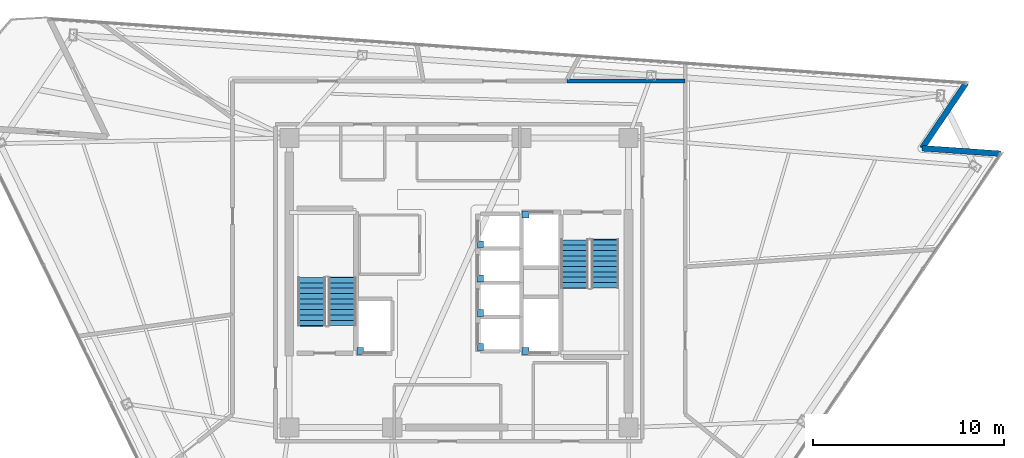
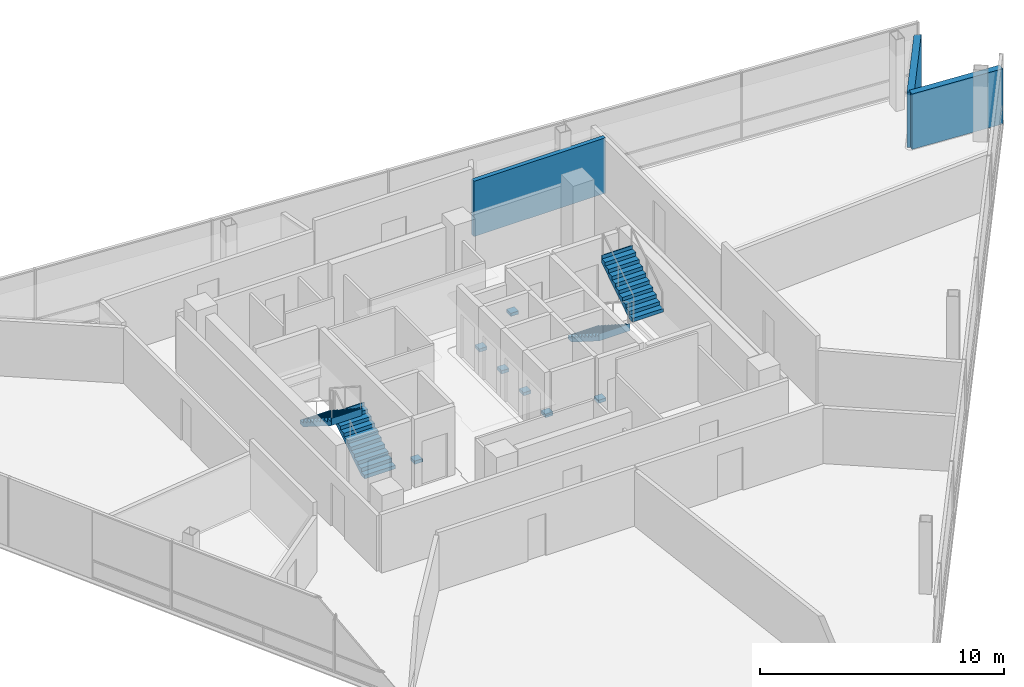
# One storey, part 11 of 14: 7 discrete accessories, 4 stair flights, 3 walls, 2 elements without a shape of their own.
"""IFC4 building model written with IfcOpenShell, lengths in metres."""

from ifc_helpers import new_model, si_unit, direction, frame, frame_2d, origin, origin_2d, place, context, subcontext, project, spatial, polyline, rectangle, outline, extrude, material, layer, layer_set, type_object, element, aggregate, save


model = new_model("IFC4")

# Units and contexts
model_context = context("Model", 3, precision=1e-05, world=origin(), true_north=direction((0.0, 1.0)))
body_context = subcontext(model_context, "Body", "Model", "MODEL_VIEW")
ifc_project = project(units=[si_unit("LENGTHUNIT", "METRE"), si_unit("AREAUNIT", "SQUARE_METRE"), si_unit("VOLUMEUNIT", "CUBIC_METRE"), si_unit("PLANEANGLEUNIT", "RADIAN"), si_unit("MASSUNIT", "GRAM", prefix="KILO")], contexts=[model_context])

# Site, building, storey
site_placement = place(None, origin())
site = spatial("IfcSite", under=ifc_project, at=site_placement, CompositionType="ELEMENT")
building_placement = place(site_placement, origin())
building = spatial("IfcBuilding", under=site, at=building_placement, Name="Tharavind Bronze Gate", CompositionType="ELEMENT")
storey_placement = place(building_placement, frame((0.0, 0.0, 245.050048828125)))
storey = spatial("IfcBuildingStorey", under=building, at=storey_placement, Name="L63", CompositionType="ELEMENT", Elevation=245.050048828125)

# Walls
ifc_material_1 = material(Name="Concrete C40/50", Category="concrete")
ifc_layer_1 = layer(ifc_material_1, 0.300048828125)
ifc_layer_set_1 = layer_set([ifc_layer_1], Name="Concrete C40/50")
wall_type_1 = type_object("IfcWallType", Name="EXTERIOR SPANDREL WALL 300", PredefinedType="STANDARD", material=ifc_layer_set_1)
for number, where, z_axis, x_axis, name in (
    (1, (28.430419921875, 6.77001953125, 0.0), (0.0, 0.0, 1.0), (-0.997561808984, 0.069788518089, 0.0), "L63 notch cheek wall 3A"),
    (2, (24.3125, 7.05810546875, 0.0), (0.0, 0.0, 1.0), (0.559209737351, 0.829026217711, 0.0), "L63 notch cheek wall 3B"),
):
    element("IfcWall", number, at=place(storey_placement, frame(where, z_axis=z_axis, x_axis=x_axis)), inside=storey, type_object=wall_type_1, Name=name, PredefinedType="STANDARD", context=body_context, shape_type="SweptSolid", body=[
        extrude(rectangle(XDim=4.1279296875, YDim=0.300048828125, at=frame_2d((2.06396484375, 0.0))), origin(), (0.0, 0.0, 1.0), 2.764892578125),
    ])
ifc_material_2 = material(Name="Aerated Concrete Block", Category="concrete")
ifc_layer_2 = layer(ifc_material_2, 0.199951171875)
ifc_layer_set_2 = layer_set([ifc_layer_2], Name="Aerated Concrete Block")
wall_type_2 = type_object("IfcWallType", Name="FIRE RATED PARTITION 200", PredefinedType="PARTITIONING", material=ifc_layer_set_2)
wall_placement = place(storey_placement, frame((11.87939453125, 10.580078125, 0.0), z_axis=(0.0, 0.0, 1.0), x_axis=(-1.0, 0.0, 0.0)))
element("IfcWall", 3, at=wall_placement, inside=storey, type_object=wall_type_2, Name="L63 Sovereign Fund Open Office partition", PredefinedType="PARTITIONING", context=body_context, shape_type="SweptSolid", body=[
    extrude(rectangle(XDim=6.21240234375, YDim=0.199951171875, at=frame_2d((3.106201171875, 0.0))), origin(), (0.0, 0.0, 1.0), 2.764892578125),
])

# Stair, stair flights
stair_type = type_object("IfcStairType", Name="CORE HALF TURN STAIR 1450", PredefinedType="HALF_TURN_STAIR", material=ifc_material_1)
stair_1_placement = place(storey_placement, origin())
stair_1 = element("IfcStair", 4, at=stair_1_placement, inside=storey, type_object=stair_type, Name="L63 Protected Exit Stair ST1", PredefinedType="HALF_TURN_STAIR")
stair_flight_type = type_object("IfcStairFlightType", Name="CORE STAIR FLIGHT 1450", PredefinedType="STRAIGHT", material=ifc_material_1)
stair_flight_1_placement = place(storey_placement, frame((-6.125, -2.25, 0.0), z_axis=(0.0, 0.0, 1.0), x_axis=(0.0, 1.0, 0.0)))
stair_flight_1 = element("IfcStairFlight", 5, at=stair_flight_1_placement, type_object=stair_flight_type, Name="ST1 flight 1", NumberOfRisers=10, NumberOfTreads=9, PredefinedType="STRAIGHT", RiserHeight=0.18, TreadLength=0.28, context=body_context, shape_type="SweptSolid", body=[
    extrude(outline(polyline([(0.0, 0.0), (0.0, 0.179931640625), (0.280029296875, 0.179931640625), (0.280029296875, 0.360107421875), (0.56005859375, 0.360107421875), (0.56005859375, 0.5400390625), (0.840087890625, 0.5400390625), (0.840087890625, 0.719970703125), (1.1201171875, 0.719970703125), (1.1201171875, 0.89990234375), (1.39990234375, 0.89990234375), (1.39990234375, 1.080078125), (1.679931640625, 1.080078125), (1.679931640625, 1.260009765625), (1.9599609375, 1.260009765625), (1.9599609375, 1.43994140625), (2.239990234375, 1.43994140625), (2.239990234375, 1.6201171875), (2.52001953125, 1.6201171875), (2.52001953125, 1.800048828125), (2.555908203125, 1.800048828125), (2.555908203125, 1.44189453125), (0.277099609375, 0.0), (0.0, 0.0)])), frame((0.0, 0.72509765625, 0.0), z_axis=(0.0, -1.0, 0.0), x_axis=(1.0, 0.0, 0.0)), (0.0, 0.0, 1.0), 1.449951171875),
])
stair_flight_2_placement = place(storey_placement, frame((-7.72509765625, 0.27001953125, 1.800048828125), z_axis=(0.0, 0.0, 1.0), x_axis=(0.0, -1.0, 0.0)))
stair_flight_2 = element("IfcStairFlight", 6, at=stair_flight_2_placement, type_object=stair_flight_type, Name="ST1 flight 2", NumberOfRisers=10, NumberOfTreads=9, PredefinedType="STRAIGHT", RiserHeight=0.18, TreadLength=0.28, context=body_context, shape_type="SweptSolid", body=[
    extrude(outline(polyline([(0.0, 0.0), (0.0, 0.179931640625), (0.280029296875, 0.179931640625), (0.280029296875, 0.360107421875), (0.56005859375, 0.360107421875), (0.56005859375, 0.5400390625), (0.840087890625, 0.5400390625), (0.840087890625, 0.719970703125), (1.1201171875, 0.719970703125), (1.1201171875, 0.89990234375), (1.39990234375, 0.89990234375), (1.39990234375, 1.080078125), (1.679931640625, 1.080078125), (1.679931640625, 1.260009765625), (1.9599609375, 1.260009765625), (1.9599609375, 1.43994140625), (2.239990234375, 1.43994140625), (2.239990234375, 1.6201171875), (2.52001953125, 1.6201171875), (2.52001953125, 1.800048828125), (2.555908203125, 1.800048828125), (2.555908203125, 1.44189453125), (0.277099609375, 0.0), (0.0, 0.0)])), frame((0.0, 0.72509765625, 0.0), z_axis=(0.0, -1.0, 0.0), x_axis=(1.0, 0.0, 0.0)), (0.0, 0.0, 1.0), 1.449951171875),
])
aggregate(stair_1, [stair_flight_1, stair_flight_2])

stair_2_placement = place(storey_placement, origin())
stair_2 = element("IfcStair", 7, at=stair_2_placement, inside=storey, type_object=stair_type, Name="L63 Protected Exit Stair ST2", PredefinedType="HALF_TURN_STAIR")
stair_flight_3_placement = place(storey_placement, frame((6.074951171875, 2.25, 0.0), z_axis=(0.0, 0.0, 1.0), x_axis=(0.0, -1.0, 0.0)))
stair_flight_3 = element("IfcStairFlight", 8, at=stair_flight_3_placement, type_object=stair_flight_type, Name="ST2 flight 1", NumberOfRisers=10, NumberOfTreads=9, PredefinedType="STRAIGHT", RiserHeight=0.18, TreadLength=0.28, context=body_context, shape_type="SweptSolid", body=[
    extrude(outline(polyline([(0.0, 0.0), (0.0, 0.179931640625), (0.280029296875, 0.179931640625), (0.280029296875, 0.360107421875), (0.56005859375, 0.360107421875), (0.56005859375, 0.5400390625), (0.840087890625, 0.5400390625), (0.840087890625, 0.719970703125), (1.1201171875, 0.719970703125), (1.1201171875, 0.89990234375), (1.39990234375, 0.89990234375), (1.39990234375, 1.080078125), (1.679931640625, 1.080078125), (1.679931640625, 1.260009765625), (1.9599609375, 1.260009765625), (1.9599609375, 1.43994140625), (2.239990234375, 1.43994140625), (2.239990234375, 1.6201171875), (2.52001953125, 1.6201171875), (2.52001953125, 1.800048828125), (2.555908203125, 1.800048828125), (2.555908203125, 1.44189453125), (0.277099609375, 0.0), (0.0, 0.0)])), frame((0.0, 0.72509765625, 0.0), z_axis=(0.0, -1.0, 0.0), x_axis=(1.0, 0.0, 0.0)), (0.0, 0.0, 1.0), 1.449951171875),
])
stair_flight_4_placement = place(storey_placement, frame((7.675048828125, -0.27001953125, 1.800048828125), z_axis=(0.0, 0.0, 1.0), x_axis=(0.0, 1.0, 0.0)))
stair_flight_4 = element("IfcStairFlight", 9, at=stair_flight_4_placement, type_object=stair_flight_type, Name="ST2 flight 2", NumberOfRisers=10, NumberOfTreads=9, PredefinedType="STRAIGHT", RiserHeight=0.18, TreadLength=0.28, context=body_context, shape_type="SweptSolid", body=[
    extrude(outline(polyline([(0.0, 0.0), (0.0, 0.179931640625), (0.280029296875, 0.179931640625), (0.280029296875, 0.360107421875), (0.56005859375, 0.360107421875), (0.56005859375, 0.5400390625), (0.840087890625, 0.5400390625), (0.840087890625, 0.719970703125), (1.1201171875, 0.719970703125), (1.1201171875, 0.89990234375), (1.39990234375, 0.89990234375), (1.39990234375, 1.080078125), (1.679931640625, 1.080078125), (1.679931640625, 1.260009765625), (1.9599609375, 1.260009765625), (1.9599609375, 1.43994140625), (2.239990234375, 1.43994140625), (2.239990234375, 1.6201171875), (2.52001953125, 1.6201171875), (2.52001953125, 1.800048828125), (2.555908203125, 1.800048828125), (2.555908203125, 1.44189453125), (0.277099609375, 0.0), (0.0, 0.0)])), frame((0.0, 0.72509765625, 0.0), z_axis=(0.0, -1.0, 0.0), x_axis=(1.0, 0.0, 0.0)), (0.0, 0.0, 1.0), 1.449951171875),
])
aggregate(stair_2, [stair_flight_3, stair_flight_4])

# Discrete accessories
ifc_material_3 = material(Name="Galvanised Steel S355", Category="steel")
discrete_accessory_type = type_object("IfcDiscreteAccessoryType", Name="LIFT GUIDE RAIL BRACKET", PredefinedType="BRACKET", material=ifc_material_3)
for number, where, z_axis, x_axis, name in (
    (10, (1.1201171875, -3.3798828125, 1.1201171875), (0.0, 0.0, 1.0), (1.0, 0.0, 0.0), "Lift PL9 guide rail bracket at L63"),
    (11, (1.1201171875, -1.580078125, 1.1201171875), (0.0, 0.0, 1.0), (1.0, 0.0, 0.0), "Lift PL10 guide rail bracket at L63"),
    (12, (1.1201171875, 0.219970703125, 1.1201171875), (0.0, 0.0, 1.0), (1.0, 0.0, 0.0), "Lift PL11 guide rail bracket at L63"),
    (13, (1.1201171875, 2.02001953125, 1.1201171875), (0.0, 0.0, 1.0), (1.0, 0.0, 0.0), "Lift PL12 guide rail bracket at L63"),
    (14, (-5.179931640625, -3.580078125, 1.1201171875), (0.0, 0.0, 1.0), (1.0, 0.0, 0.0), "Lift FFL1 guide rail bracket at L63"),
    (15, (3.5, 3.580078125, 1.1201171875), (0.0, 0.0, 1.0), (1.0, 0.0, 0.0), "Lift FFL2 guide rail bracket at L63"),
    (16, (3.5, -3.580078125, 1.1201171875), (0.0, 0.0, 1.0), (1.0, 0.0, 0.0), "Lift SVL1 guide rail bracket at L63"),
):
    element("IfcDiscreteAccessory", number, at=place(storey_placement, frame(where, z_axis=z_axis, x_axis=x_axis)), inside=storey, type_object=discrete_accessory_type, Name=name, PredefinedType="BRACKET", context=body_context, shape_type="SweptSolid", body=[
        extrude(rectangle(XDim=0.360107421875, YDim=0.360107421875, at=origin_2d()), origin(), (0.0, 0.0, 1.0), 0.159912109375),
    ])

save(model, "model.ifc")
